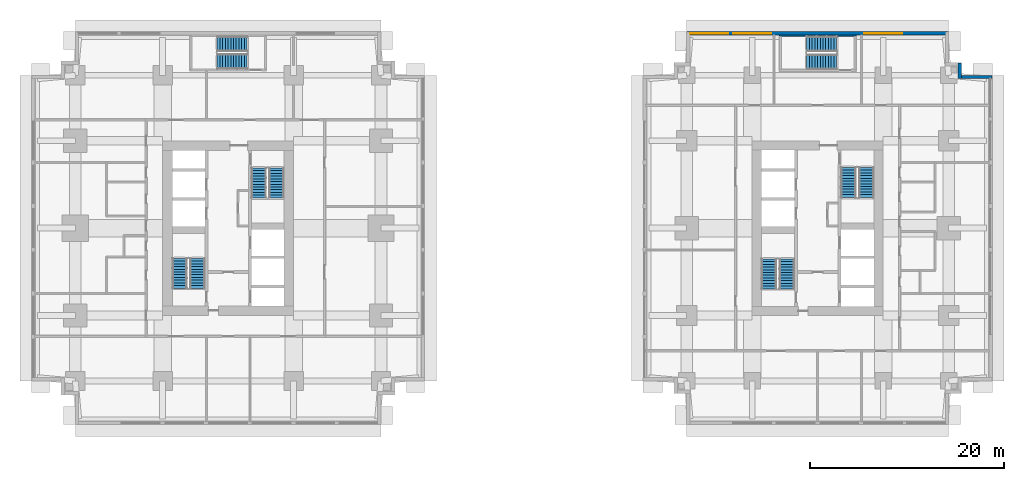
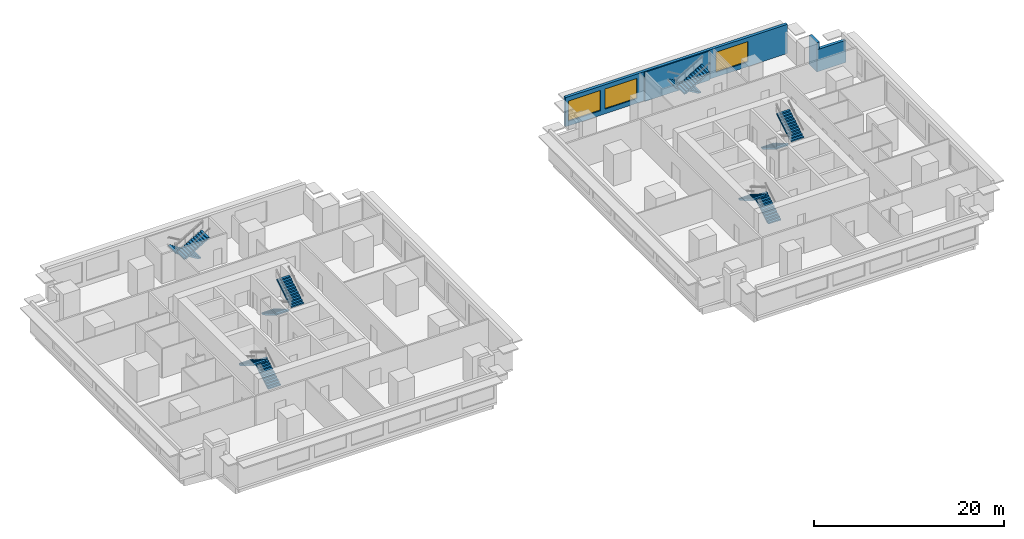
# One storey, part 8 of 11: 12 stair flights, 4 walls, 3 windows, 3 openings, 6 elements without a shape of their own.
"""IFC4 building model written with IfcOpenShell, lengths in metres."""

from ifc_helpers import new_model, si_unit, direction, frame, frame_2d, origin, place, context, subcontext, project, spatial, polyline, rectangle, outline, extrude, material, layer, layer_set, type_object, element, fill, aggregate, save


model = new_model("IFC4")

# Units and contexts
model_context = context("Model", 3, precision=1e-05, world=origin(), true_north=direction((0.0, 1.0)))
body_context = subcontext(model_context, "Body", "Model", "MODEL_VIEW")
ifc_project = project(units=[si_unit("LENGTHUNIT", "METRE"), si_unit("AREAUNIT", "SQUARE_METRE"), si_unit("VOLUMEUNIT", "CUBIC_METRE"), si_unit("PLANEANGLEUNIT", "RADIAN"), si_unit("MASSUNIT", "GRAM", prefix="KILO")], contexts=[model_context])

# Site, building, storey
site_placement = place(None, origin())
site = spatial("IfcSite", under=ifc_project, at=site_placement, CompositionType="ELEMENT")
building_placement = place(site_placement, origin())
building = spatial("IfcBuilding", under=site, at=building_placement, Name="Namib Vertical Campus", CompositionType="ELEMENT")
storey_placement = place(building_placement, frame((0.0, 0.0, 69.0)))
storey = spatial("IfcBuildingStorey", under=building, at=storey_placement, Name="L16", CompositionType="ELEMENT", Elevation=69.0)

# Walls
ifc_material_1 = material(Name="Concrete C40/50", Category="concrete")
ifc_layer_1 = layer(ifc_material_1, 0.35009765625)
ifc_layer_set_1 = layer_set([ifc_layer_1], Name="Concrete C40/50")
wall_type_1 = type_object("IfcWallType", Name="External wall 350 bush-hammered concrete", PredefinedType="STANDARD", material=ifc_layer_set_1)
wall_1_placement = place(storey_placement, frame((98.97998046875, 35.824951171875, 0.0), z_axis=(0.0, 0.0, 1.0), x_axis=(-1.0, 0.0, 0.0)))
element("IfcWall", 1, at=wall_1_placement, inside=storey, type_object=wall_type_1, Name="External wall L16 F07", PredefinedType="STANDARD", context=body_context, shape_type="SweptSolid", body=[
    extrude(rectangle(XDim=3.510009765625, YDim=0.35009765625, at=frame_2d((1.7548828125, 0.0))), origin(), (0.0, 0.0, 1.0), 2.85009765625),
])
wall_2_placement = place(storey_placement, frame((95.625, 35.669921875, 0.0), z_axis=(0.0, 0.0, 1.0), x_axis=(0.0, 1.0, 0.0)))
element("IfcWall", 2, at=wall_2_placement, inside=storey, type_object=wall_type_1, Name="External wall L16 F08", PredefinedType="STANDARD", context=body_context, shape_type="SweptSolid", body=[
    extrude(rectangle(XDim=1.610107421875, YDim=0.35009765625, at=frame_2d((0.80517578125, 0.0))), origin(), (0.0, 0.0, 1.0), 3.75),
])

# Wall, openings, windows
wall_3_placement = place(storey_placement, frame((94.47998046875, 40.324951171875, 0.0), z_axis=(0.0, 0.0, 1.0), x_axis=(-1.0, 0.0, 0.0)))
wall_3 = element("IfcWall", 3, at=wall_3_placement, inside=storey, type_object=wall_type_1, Name="External wall L16 F11", PredefinedType="STANDARD", context=body_context, shape_type="SweptSolid", body=[
    extrude(rectangle(XDim=26.9599609375, YDim=0.35009765625, at=frame_2d((13.47998046875, 0.0))), origin(), (0.0, 0.0, 1.0), 3.75),
])
opening_1_placement = place(wall_3_placement, frame((22.7099609375, 0.0, 0.60009765625)))
opening_1 = element("IfcOpeningElement", 4, at=opening_1_placement, cuts=wall_3, Name="Opening W2", PredefinedType="OPENING", context=body_context, shape_type="SweptSolid", body=[
    extrude(rectangle(XDim=3.89990234375, YDim=2.60009765625, at=frame_2d((1.949951171875, 1.300048828125))), frame((0.0, 0.18505859375, 0.0), z_axis=(0.0, -1.0, 0.0), x_axis=(1.0, 0.0, 0.0)), (0.0, 0.0, 1.0), 0.3701171875),
])
opening_2_placement = place(wall_3_placement, frame((18.280029296875, 0.0, 0.60009765625)))
opening_2 = element("IfcOpeningElement", 5, at=opening_2_placement, cuts=wall_3, Name="Opening W2", PredefinedType="OPENING", context=body_context, shape_type="SweptSolid", body=[
    extrude(rectangle(XDim=3.89990234375, YDim=2.60009765625, at=frame_2d((1.949951171875, 1.300048828125))), frame((0.0, 0.18505859375, 0.0), z_axis=(0.0, -1.0, 0.0), x_axis=(1.0, 0.0, 0.0)), (0.0, 0.0, 1.0), 0.3701171875),
])
opening_3_placement = place(wall_3_placement, frame((4.780029296875, 0.0, 0.60009765625)))
opening_3 = element("IfcOpeningElement", 6, at=opening_3_placement, cuts=wall_3, Name="Opening W2", PredefinedType="OPENING", context=body_context, shape_type="SweptSolid", body=[
    extrude(rectangle(XDim=3.89990234375, YDim=2.60009765625, at=frame_2d((1.949951171875, 1.300048828125))), frame((0.0, 0.18505859375, 0.0), z_axis=(0.0, -1.0, 0.0), x_axis=(1.0, 0.0, 0.0)), (0.0, 0.0, 1.0), 0.3701171875),
])
ifc_material_2 = material(Name="Dark tinted glass in black aluminium frame", Category="aluminium")
window_type = type_object("IfcWindowType", Name="Ribbon window 3900x2600", PartitioningType="SINGLE_PANEL", PredefinedType="WINDOW", material=ifc_material_2)
window_1_placement = place(opening_1_placement, origin())
window_1 = element("IfcWindow", 7, at=window_1_placement, inside=storey, type_object=window_type, Name="Window W2 L16 F11-1", OverallHeight=2.60009765625, OverallWidth=3.89990234375, PartitioningType="SINGLE_PANEL", PredefinedType="WINDOW", context=body_context, shape_type="SweptSolid", body=[
    extrude(rectangle(XDim=3.89990234375, YDim=2.60009765625, at=frame_2d((1.949951171875, 1.300048828125))), frame((0.0, 0.030029296875, 0.0), z_axis=(0.0, -1.0, 0.0), x_axis=(1.0, 0.0, 0.0)), (0.0, 0.0, 1.0), 0.06005859375),
])
fill(opening_1, window_1)
window_2_placement = place(opening_2_placement, origin())
window_2 = element("IfcWindow", 8, at=window_2_placement, inside=storey, type_object=window_type, Name="Window W2 L16 F11-2", OverallHeight=2.60009765625, OverallWidth=3.89990234375, PartitioningType="SINGLE_PANEL", PredefinedType="WINDOW", context=body_context, shape_type="SweptSolid", body=[
    extrude(rectangle(XDim=3.89990234375, YDim=2.60009765625, at=frame_2d((1.949951171875, 1.300048828125))), frame((0.0, 0.030029296875, 0.0), z_axis=(0.0, -1.0, 0.0), x_axis=(1.0, 0.0, 0.0)), (0.0, 0.0, 1.0), 0.06005859375),
])
fill(opening_2, window_2)
window_3_placement = place(opening_3_placement, origin())
window_3 = element("IfcWindow", 9, at=window_3_placement, inside=storey, type_object=window_type, Name="Window W2 L16 F11-5", OverallHeight=2.60009765625, OverallWidth=3.89990234375, PartitioningType="SINGLE_PANEL", PredefinedType="WINDOW", context=body_context, shape_type="SweptSolid", body=[
    extrude(rectangle(XDim=3.89990234375, YDim=2.60009765625, at=frame_2d((1.949951171875, 1.300048828125))), frame((0.0, 0.030029296875, 0.0), z_axis=(0.0, -1.0, 0.0), x_axis=(1.0, 0.0, 0.0)), (0.0, 0.0, 1.0), 0.06005859375),
])
fill(opening_3, window_3)

# Wall
ifc_material_3 = material(Name="Concrete C40/50", Category="concrete")
ifc_layer_2 = layer(ifc_material_3, 0.14990234375)
ifc_layer_set_2 = layer_set([ifc_layer_2], Name="Concrete C40/50")
wall_type_2 = type_object("IfcWallType", Name="Stair enclosure wall RC 150", PredefinedType="SOLIDWALL", material=ifc_layer_set_2)
wall_4_placement = place(storey_placement, frame((77.050048828125, 40.074951171875, 0.0), z_axis=(0.0, 0.0, 1.0), x_axis=(1.0, 0.0, 0.0)))
element("IfcWall", 10, at=wall_4_placement, inside=storey, type_object=wall_type_2, Name="Stair enclosure wall B-S3 L16 N", PredefinedType="SOLIDWALL", context=body_context, shape_type="SweptSolid", body=[
    extrude(rectangle(XDim=7.89990234375, YDim=0.14990234375, at=frame_2d((3.949951171875, 0.0))), origin(), (0.0, 0.0, 1.0), 3.75),
])

# Stair, stair flights
ifc_material_4 = material(Name="Concrete C40/50 precast", Category="concrete")
stair_type_1 = type_object("IfcStairType", Name="Exit stair 4000 rise 24 risers 3350 wide", PredefinedType="HALF_TURN_STAIR", material=ifc_material_4)
stair_1_placement = place(storey_placement, origin())
stair_1 = element("IfcStair", 11, at=stair_1_placement, inside=storey, type_object=stair_type_1, Name="Exit stair A-S1 L16", PredefinedType="HALF_TURN_STAIR")
ifc_material_5 = material(Name="Concrete C40/50 precast", Category="concrete")
stair_flight_type_1 = type_object("IfcStairFlightType", Name="Stair flight 12 risers 167 1525 wide", PredefinedType="STRAIGHT", material=ifc_material_5)
stair_flight_1_placement = place(storey_placement, frame((17.08740234375, 14.050048828125, 0.0), z_axis=(0.0, 0.0, 1.0), x_axis=(0.0, 1.0, 0.0)))
stair_flight_1 = element("IfcStairFlight", 12, at=stair_flight_1_placement, type_object=stair_flight_type_1, Name="A-S1 flight 1", NumberOfRisers=12, NumberOfTreads=11, PredefinedType="STRAIGHT", RiserHeight=0.166666667, TreadLength=0.28, context=body_context, shape_type="SweptSolid", body=[
    extrude(outline(polyline([(0.0, 0.0), (0.0, 0.166748046875), (0.280029296875, 0.166748046875), (0.280029296875, 0.333251953125), (0.56005859375, 0.333251953125), (0.56005859375, 0.5), (0.840087890625, 0.5), (0.840087890625, 0.666748046875), (1.1201171875, 0.666748046875), (1.1201171875, 0.833251953125), (1.39990234375, 0.833251953125), (1.39990234375, 1.0), (1.679931640625, 1.0), (1.679931640625, 1.166748046875), (1.9599609375, 1.166748046875), (1.9599609375, 1.333251953125), (2.239990234375, 1.333251953125), (2.239990234375, 1.5), (2.52001953125, 1.5), (2.52001953125, 1.666748046875), (2.800048828125, 1.666748046875), (2.800048828125, 1.833251953125), (3.080078125, 1.833251953125), (3.080078125, 2.0), (3.080078125, 1.658935546875), (0.29296875, 0.0), (0.0, 0.0)])), frame((0.0, 0.762451171875, 0.0), z_axis=(0.0, -1.0, 0.0), x_axis=(1.0, 0.0, 0.0)), (0.0, 0.0, 1.0), 1.52490234375),
])
stair_flight_2_placement = place(storey_placement, frame((15.262451171875, 17.1298828125, 2.0), z_axis=(0.0, 0.0, 1.0), x_axis=(0.0, -1.0, 0.0)))
stair_flight_2 = element("IfcStairFlight", 13, at=stair_flight_2_placement, type_object=stair_flight_type_1, Name="A-S1 flight 2", NumberOfRisers=12, NumberOfTreads=11, PredefinedType="STRAIGHT", RiserHeight=0.166666667, TreadLength=0.28, context=body_context, shape_type="SweptSolid", body=[
    extrude(outline(polyline([(0.0, 0.0), (0.0, 0.166748046875), (0.280029296875, 0.166748046875), (0.280029296875, 0.333251953125), (0.56005859375, 0.333251953125), (0.56005859375, 0.5), (0.840087890625, 0.5), (0.840087890625, 0.666748046875), (1.1201171875, 0.666748046875), (1.1201171875, 0.833251953125), (1.39990234375, 0.833251953125), (1.39990234375, 1.0), (1.679931640625, 1.0), (1.679931640625, 1.166748046875), (1.9599609375, 1.166748046875), (1.9599609375, 1.333251953125), (2.239990234375, 1.333251953125), (2.239990234375, 1.5), (2.52001953125, 1.5), (2.52001953125, 1.666748046875), (2.800048828125, 1.666748046875), (2.800048828125, 1.833251953125), (3.080078125, 1.833251953125), (3.080078125, 2.0), (3.080078125, 1.658935546875), (0.29296875, 0.0), (0.0, 0.0)])), frame((0.0, 0.762451171875, 0.0), z_axis=(0.0, -1.0, 0.0), x_axis=(1.0, 0.0, 0.0)), (0.0, 0.0, 1.0), 1.52490234375),
])
aggregate(stair_1, [stair_flight_1, stair_flight_2])

stair_2_placement = place(storey_placement, origin())
stair_2 = element("IfcStair", 14, at=stair_2_placement, inside=storey, type_object=stair_type_1, Name="Exit stair A-S2 L16", PredefinedType="HALF_TURN_STAIR")
stair_flight_3_placement = place(storey_placement, frame((23.41259765625, 26.449951171875, 0.0), z_axis=(0.0, 0.0, 1.0), x_axis=(0.0, -1.0, 0.0)))
stair_flight_3 = element("IfcStairFlight", 15, at=stair_flight_3_placement, type_object=stair_flight_type_1, Name="A-S2 flight 1", NumberOfRisers=12, NumberOfTreads=11, PredefinedType="STRAIGHT", RiserHeight=0.166666667, TreadLength=0.28, context=body_context, shape_type="SweptSolid", body=[
    extrude(outline(polyline([(0.0, 0.0), (0.0, 0.166748046875), (0.280029296875, 0.166748046875), (0.280029296875, 0.333251953125), (0.56005859375, 0.333251953125), (0.56005859375, 0.5), (0.840087890625, 0.5), (0.840087890625, 0.666748046875), (1.1201171875, 0.666748046875), (1.1201171875, 0.833251953125), (1.39990234375, 0.833251953125), (1.39990234375, 1.0), (1.679931640625, 1.0), (1.679931640625, 1.166748046875), (1.9599609375, 1.166748046875), (1.9599609375, 1.333251953125), (2.239990234375, 1.333251953125), (2.239990234375, 1.5), (2.52001953125, 1.5), (2.52001953125, 1.666748046875), (2.800048828125, 1.666748046875), (2.800048828125, 1.833251953125), (3.080078125, 1.833251953125), (3.080078125, 2.0), (3.080078125, 1.658935546875), (0.29296875, 0.0), (0.0, 0.0)])), frame((0.0, 0.762451171875, 0.0), z_axis=(0.0, -1.0, 0.0), x_axis=(1.0, 0.0, 0.0)), (0.0, 0.0, 1.0), 1.52490234375),
])
stair_flight_4_placement = place(storey_placement, frame((25.237548828125, 23.3701171875, 2.0), z_axis=(0.0, 0.0, 1.0), x_axis=(0.0, 1.0, 0.0)))
stair_flight_4 = element("IfcStairFlight", 16, at=stair_flight_4_placement, type_object=stair_flight_type_1, Name="A-S2 flight 2", NumberOfRisers=12, NumberOfTreads=11, PredefinedType="STRAIGHT", RiserHeight=0.166666667, TreadLength=0.28, context=body_context, shape_type="SweptSolid", body=[
    extrude(outline(polyline([(0.0, 0.0), (0.0, 0.166748046875), (0.280029296875, 0.166748046875), (0.280029296875, 0.333251953125), (0.56005859375, 0.333251953125), (0.56005859375, 0.5), (0.840087890625, 0.5), (0.840087890625, 0.666748046875), (1.1201171875, 0.666748046875), (1.1201171875, 0.833251953125), (1.39990234375, 0.833251953125), (1.39990234375, 1.0), (1.679931640625, 1.0), (1.679931640625, 1.166748046875), (1.9599609375, 1.166748046875), (1.9599609375, 1.333251953125), (2.239990234375, 1.333251953125), (2.239990234375, 1.5), (2.52001953125, 1.5), (2.52001953125, 1.666748046875), (2.800048828125, 1.666748046875), (2.800048828125, 1.833251953125), (3.080078125, 1.833251953125), (3.080078125, 2.0), (3.080078125, 1.658935546875), (0.29296875, 0.0), (0.0, 0.0)])), frame((0.0, 0.762451171875, 0.0), z_axis=(0.0, -1.0, 0.0), x_axis=(1.0, 0.0, 0.0)), (0.0, 0.0, 1.0), 1.52490234375),
])
aggregate(stair_2, [stair_flight_3, stair_flight_4])

stair_3_placement = place(storey_placement, origin())
stair_3 = element("IfcStair", 17, at=stair_3_placement, inside=storey, type_object=stair_type_1, Name="Exit stair A-S3 L16", PredefinedType="HALF_TURN_STAIR")
stair_flight_5_placement = place(storey_placement, frame((22.199951171875, 39.237548828125, 0.0), z_axis=(0.0, 0.0, 1.0), x_axis=(-1.0, 0.0, 0.0)))
stair_flight_5 = element("IfcStairFlight", 18, at=stair_flight_5_placement, type_object=stair_flight_type_1, Name="A-S3 flight 1", NumberOfRisers=12, NumberOfTreads=11, PredefinedType="STRAIGHT", RiserHeight=0.166666667, TreadLength=0.28, context=body_context, shape_type="SweptSolid", body=[
    extrude(outline(polyline([(0.0, 0.0), (0.0, 0.166748046875), (0.280029296875, 0.166748046875), (0.280029296875, 0.333251953125), (0.56005859375, 0.333251953125), (0.56005859375, 0.5), (0.840087890625, 0.5), (0.840087890625, 0.666748046875), (1.1201171875, 0.666748046875), (1.1201171875, 0.833251953125), (1.39990234375, 0.833251953125), (1.39990234375, 1.0), (1.679931640625, 1.0), (1.679931640625, 1.166748046875), (1.9599609375, 1.166748046875), (1.9599609375, 1.333251953125), (2.239990234375, 1.333251953125), (2.239990234375, 1.5), (2.52001953125, 1.5), (2.52001953125, 1.666748046875), (2.800048828125, 1.666748046875), (2.800048828125, 1.833251953125), (3.080078125, 1.833251953125), (3.080078125, 2.0), (3.080078125, 1.658935546875), (0.29296875, 0.0), (0.0, 0.0)])), frame((0.0, 0.762451171875, 0.0), z_axis=(0.0, -1.0, 0.0), x_axis=(1.0, 0.0, 0.0)), (0.0, 0.0, 1.0), 1.52490234375),
])
stair_flight_6_placement = place(storey_placement, frame((19.1201171875, 37.41259765625, 2.0), z_axis=(0.0, 0.0, 1.0), x_axis=(1.0, 0.0, 0.0)))
stair_flight_6 = element("IfcStairFlight", 19, at=stair_flight_6_placement, type_object=stair_flight_type_1, Name="A-S3 flight 2", NumberOfRisers=12, NumberOfTreads=11, PredefinedType="STRAIGHT", RiserHeight=0.166666667, TreadLength=0.28, context=body_context, shape_type="SweptSolid", body=[
    extrude(outline(polyline([(0.0, 0.0), (0.0, 0.166748046875), (0.280029296875, 0.166748046875), (0.280029296875, 0.333251953125), (0.56005859375, 0.333251953125), (0.56005859375, 0.5), (0.840087890625, 0.5), (0.840087890625, 0.666748046875), (1.1201171875, 0.666748046875), (1.1201171875, 0.833251953125), (1.39990234375, 0.833251953125), (1.39990234375, 1.0), (1.679931640625, 1.0), (1.679931640625, 1.166748046875), (1.9599609375, 1.166748046875), (1.9599609375, 1.333251953125), (2.239990234375, 1.333251953125), (2.239990234375, 1.5), (2.52001953125, 1.5), (2.52001953125, 1.666748046875), (2.800048828125, 1.666748046875), (2.800048828125, 1.833251953125), (3.080078125, 1.833251953125), (3.080078125, 2.0), (3.080078125, 1.658935546875), (0.29296875, 0.0), (0.0, 0.0)])), frame((0.0, 0.762451171875, 0.0), z_axis=(0.0, -1.0, 0.0), x_axis=(1.0, 0.0, 0.0)), (0.0, 0.0, 1.0), 1.52490234375),
])
aggregate(stair_3, [stair_flight_5, stair_flight_6])

ifc_material_6 = material(Name="Concrete C40/50 precast", Category="concrete")
stair_type_2 = type_object("IfcStairType", Name="Exit stair 4000 rise 24 risers 3400 wide", PredefinedType="HALF_TURN_STAIR", material=ifc_material_6)
stair_4_placement = place(storey_placement, origin())
stair_4 = element("IfcStair", 20, at=stair_4_placement, inside=storey, type_object=stair_type_2, Name="Exit stair B-S1 L16", PredefinedType="HALF_TURN_STAIR")
ifc_material_7 = material(Name="Concrete C40/50 precast", Category="concrete")
stair_flight_type_2 = type_object("IfcStairFlightType", Name="Stair flight 12 risers 167 1550 wide", PredefinedType="STRAIGHT", material=ifc_material_7)
stair_flight_7_placement = place(storey_placement, frame((77.824951171875, 14.0, 0.0), z_axis=(0.0, 0.0, 1.0), x_axis=(0.0, 1.0, 0.0)))
stair_flight_7 = element("IfcStairFlight", 21, at=stair_flight_7_placement, type_object=stair_flight_type_2, Name="B-S1 flight 1", NumberOfRisers=12, NumberOfTreads=11, PredefinedType="STRAIGHT", RiserHeight=0.166666667, TreadLength=0.28, context=body_context, shape_type="SweptSolid", body=[
    extrude(outline(polyline([(0.0, 0.0), (0.0, 0.166748046875), (0.280029296875, 0.166748046875), (0.280029296875, 0.333251953125), (0.56005859375, 0.333251953125), (0.56005859375, 0.5), (0.840087890625, 0.5), (0.840087890625, 0.666748046875), (1.1201171875, 0.666748046875), (1.1201171875, 0.833251953125), (1.39990234375, 0.833251953125), (1.39990234375, 1.0), (1.679931640625, 1.0), (1.679931640625, 1.166748046875), (1.9599609375, 1.166748046875), (1.9599609375, 1.333251953125), (2.239990234375, 1.333251953125), (2.239990234375, 1.5), (2.52001953125, 1.5), (2.52001953125, 1.666748046875), (2.800048828125, 1.666748046875), (2.800048828125, 1.833251953125), (3.080078125, 1.833251953125), (3.080078125, 2.0), (3.080078125, 1.658935546875), (0.29296875, 0.0), (0.0, 0.0)])), frame((0.0, 0.77490234375, 0.0), z_axis=(0.0, -1.0, 0.0), x_axis=(1.0, 0.0, 0.0)), (0.0, 0.0, 1.0), 1.550048828125),
])
stair_flight_8_placement = place(storey_placement, frame((75.97509765625, 17.080078125, 2.0), z_axis=(0.0, 0.0, 1.0), x_axis=(0.0, -1.0, 0.0)))
stair_flight_8 = element("IfcStairFlight", 22, at=stair_flight_8_placement, type_object=stair_flight_type_2, Name="B-S1 flight 2", NumberOfRisers=12, NumberOfTreads=11, PredefinedType="STRAIGHT", RiserHeight=0.166666667, TreadLength=0.28, context=body_context, shape_type="SweptSolid", body=[
    extrude(outline(polyline([(0.0, 0.0), (0.0, 0.166748046875), (0.280029296875, 0.166748046875), (0.280029296875, 0.333251953125), (0.56005859375, 0.333251953125), (0.56005859375, 0.5), (0.840087890625, 0.5), (0.840087890625, 0.666748046875), (1.1201171875, 0.666748046875), (1.1201171875, 0.833251953125), (1.39990234375, 0.833251953125), (1.39990234375, 1.0), (1.679931640625, 1.0), (1.679931640625, 1.166748046875), (1.9599609375, 1.166748046875), (1.9599609375, 1.333251953125), (2.239990234375, 1.333251953125), (2.239990234375, 1.5), (2.52001953125, 1.5), (2.52001953125, 1.666748046875), (2.800048828125, 1.666748046875), (2.800048828125, 1.833251953125), (3.080078125, 1.833251953125), (3.080078125, 2.0), (3.080078125, 1.658935546875), (0.29296875, 0.0), (0.0, 0.0)])), frame((0.0, 0.77490234375, 0.0), z_axis=(0.0, -1.0, 0.0), x_axis=(1.0, 0.0, 0.0)), (0.0, 0.0, 1.0), 1.550048828125),
])
aggregate(stair_4, [stair_flight_7, stair_flight_8])

stair_5_placement = place(storey_placement, origin())
stair_5 = element("IfcStair", 23, at=stair_5_placement, inside=storey, type_object=stair_type_2, Name="Exit stair B-S2 L16", PredefinedType="HALF_TURN_STAIR")
stair_flight_9_placement = place(storey_placement, frame((84.175048828125, 26.5, 0.0), z_axis=(0.0, 0.0, 1.0), x_axis=(0.0, -1.0, 0.0)))
stair_flight_9 = element("IfcStairFlight", 24, at=stair_flight_9_placement, type_object=stair_flight_type_2, Name="B-S2 flight 1", NumberOfRisers=12, NumberOfTreads=11, PredefinedType="STRAIGHT", RiserHeight=0.166666667, TreadLength=0.28, context=body_context, shape_type="SweptSolid", body=[
    extrude(outline(polyline([(0.0, 0.0), (0.0, 0.166748046875), (0.280029296875, 0.166748046875), (0.280029296875, 0.333251953125), (0.56005859375, 0.333251953125), (0.56005859375, 0.5), (0.840087890625, 0.5), (0.840087890625, 0.666748046875), (1.1201171875, 0.666748046875), (1.1201171875, 0.833251953125), (1.39990234375, 0.833251953125), (1.39990234375, 1.0), (1.679931640625, 1.0), (1.679931640625, 1.166748046875), (1.9599609375, 1.166748046875), (1.9599609375, 1.333251953125), (2.239990234375, 1.333251953125), (2.239990234375, 1.5), (2.52001953125, 1.5), (2.52001953125, 1.666748046875), (2.800048828125, 1.666748046875), (2.800048828125, 1.833251953125), (3.080078125, 1.833251953125), (3.080078125, 2.0), (3.080078125, 1.658935546875), (0.29296875, 0.0), (0.0, 0.0)])), frame((0.0, 0.77490234375, 0.0), z_axis=(0.0, -1.0, 0.0), x_axis=(1.0, 0.0, 0.0)), (0.0, 0.0, 1.0), 1.550048828125),
])
stair_flight_10_placement = place(storey_placement, frame((86.02490234375, 23.419921875, 2.0), z_axis=(0.0, 0.0, 1.0), x_axis=(0.0, 1.0, 0.0)))
stair_flight_10 = element("IfcStairFlight", 25, at=stair_flight_10_placement, type_object=stair_flight_type_2, Name="B-S2 flight 2", NumberOfRisers=12, NumberOfTreads=11, PredefinedType="STRAIGHT", RiserHeight=0.166666667, TreadLength=0.28, context=body_context, shape_type="SweptSolid", body=[
    extrude(outline(polyline([(0.0, 0.0), (0.0, 0.166748046875), (0.280029296875, 0.166748046875), (0.280029296875, 0.333251953125), (0.56005859375, 0.333251953125), (0.56005859375, 0.5), (0.840087890625, 0.5), (0.840087890625, 0.666748046875), (1.1201171875, 0.666748046875), (1.1201171875, 0.833251953125), (1.39990234375, 0.833251953125), (1.39990234375, 1.0), (1.679931640625, 1.0), (1.679931640625, 1.166748046875), (1.9599609375, 1.166748046875), (1.9599609375, 1.333251953125), (2.239990234375, 1.333251953125), (2.239990234375, 1.5), (2.52001953125, 1.5), (2.52001953125, 1.666748046875), (2.800048828125, 1.666748046875), (2.800048828125, 1.833251953125), (3.080078125, 1.833251953125), (3.080078125, 2.0), (3.080078125, 1.658935546875), (0.29296875, 0.0), (0.0, 0.0)])), frame((0.0, 0.77490234375, 0.0), z_axis=(0.0, -1.0, 0.0), x_axis=(1.0, 0.0, 0.0)), (0.0, 0.0, 1.0), 1.550048828125),
])
aggregate(stair_5, [stair_flight_9, stair_flight_10])

stair_6_placement = place(storey_placement, origin())
stair_6 = element("IfcStair", 26, at=stair_6_placement, inside=storey, type_object=stair_type_2, Name="Exit stair B-S3 L16", PredefinedType="HALF_TURN_STAIR")
stair_flight_11_placement = place(storey_placement, frame((82.949951171875, 39.22509765625, 0.0), z_axis=(0.0, 0.0, 1.0), x_axis=(-1.0, 0.0, 0.0)))
stair_flight_11 = element("IfcStairFlight", 27, at=stair_flight_11_placement, type_object=stair_flight_type_2, Name="B-S3 flight 1", NumberOfRisers=12, NumberOfTreads=11, PredefinedType="STRAIGHT", RiserHeight=0.166666667, TreadLength=0.28, context=body_context, shape_type="SweptSolid", body=[
    extrude(outline(polyline([(0.0, 0.0), (0.0, 0.166748046875), (0.280029296875, 0.166748046875), (0.280029296875, 0.333251953125), (0.56005859375, 0.333251953125), (0.56005859375, 0.5), (0.840087890625, 0.5), (0.840087890625, 0.666748046875), (1.1201171875, 0.666748046875), (1.1201171875, 0.833251953125), (1.39990234375, 0.833251953125), (1.39990234375, 1.0), (1.679931640625, 1.0), (1.679931640625, 1.166748046875), (1.9599609375, 1.166748046875), (1.9599609375, 1.333251953125), (2.239990234375, 1.333251953125), (2.239990234375, 1.5), (2.52001953125, 1.5), (2.52001953125, 1.666748046875), (2.800048828125, 1.666748046875), (2.800048828125, 1.833251953125), (3.080078125, 1.833251953125), (3.080078125, 2.0), (3.080078125, 1.658935546875), (0.29296875, 0.0), (0.0, 0.0)])), frame((0.0, 0.77490234375, 0.0), z_axis=(0.0, -1.0, 0.0), x_axis=(1.0, 0.0, 0.0)), (0.0, 0.0, 1.0), 1.550048828125),
])
stair_flight_12_placement = place(storey_placement, frame((79.8701171875, 37.375, 2.0), z_axis=(0.0, 0.0, 1.0), x_axis=(1.0, 0.0, 0.0)))
stair_flight_12 = element("IfcStairFlight", 28, at=stair_flight_12_placement, type_object=stair_flight_type_2, Name="B-S3 flight 2", NumberOfRisers=12, NumberOfTreads=11, PredefinedType="STRAIGHT", RiserHeight=0.166666667, TreadLength=0.28, context=body_context, shape_type="SweptSolid", body=[
    extrude(outline(polyline([(0.0, 0.0), (0.0, 0.166748046875), (0.280029296875, 0.166748046875), (0.280029296875, 0.333251953125), (0.56005859375, 0.333251953125), (0.56005859375, 0.5), (0.840087890625, 0.5), (0.840087890625, 0.666748046875), (1.1201171875, 0.666748046875), (1.1201171875, 0.833251953125), (1.39990234375, 0.833251953125), (1.39990234375, 1.0), (1.679931640625, 1.0), (1.679931640625, 1.166748046875), (1.9599609375, 1.166748046875), (1.9599609375, 1.333251953125), (2.239990234375, 1.333251953125), (2.239990234375, 1.5), (2.52001953125, 1.5), (2.52001953125, 1.666748046875), (2.800048828125, 1.666748046875), (2.800048828125, 1.833251953125), (3.080078125, 1.833251953125), (3.080078125, 2.0), (3.080078125, 1.658935546875), (0.29296875, 0.0), (0.0, 0.0)])), frame((0.0, 0.77490234375, 0.0), z_axis=(0.0, -1.0, 0.0), x_axis=(1.0, 0.0, 0.0)), (0.0, 0.0, 1.0), 1.550048828125),
])
aggregate(stair_6, [stair_flight_11, stair_flight_12])

save(model, "model.ifc")
